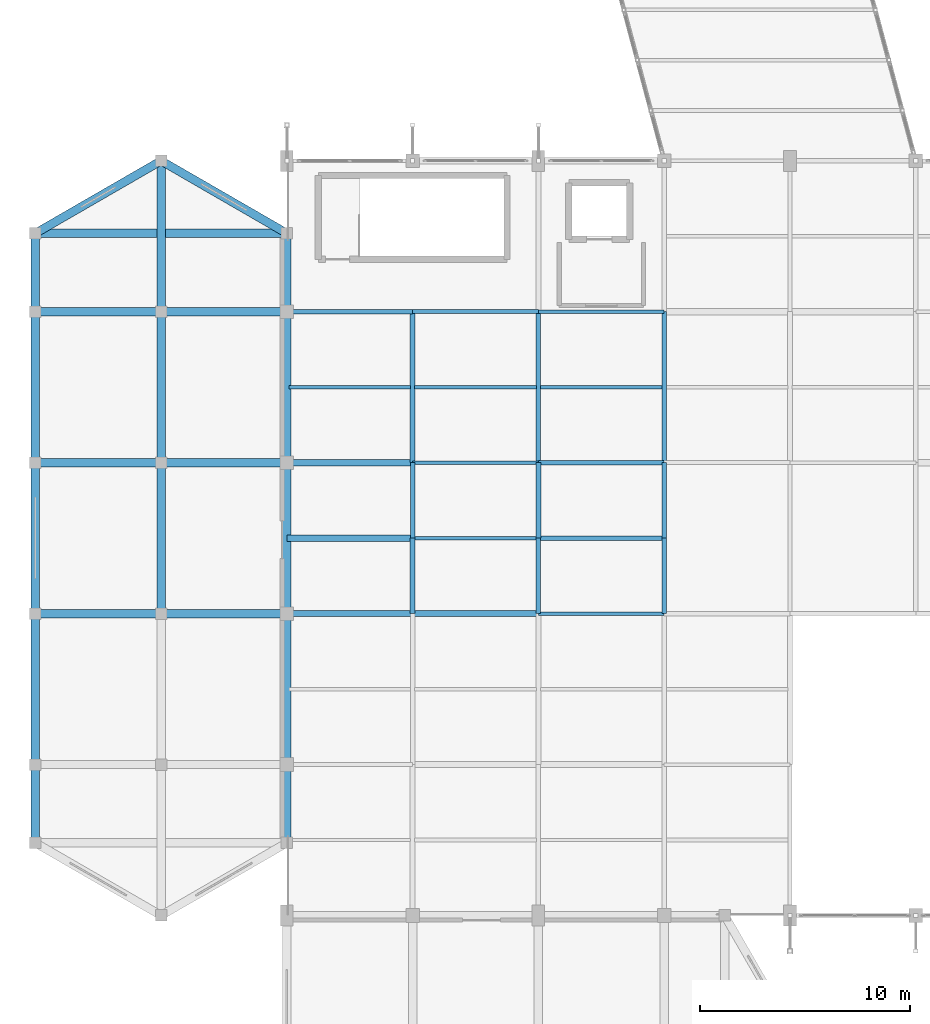
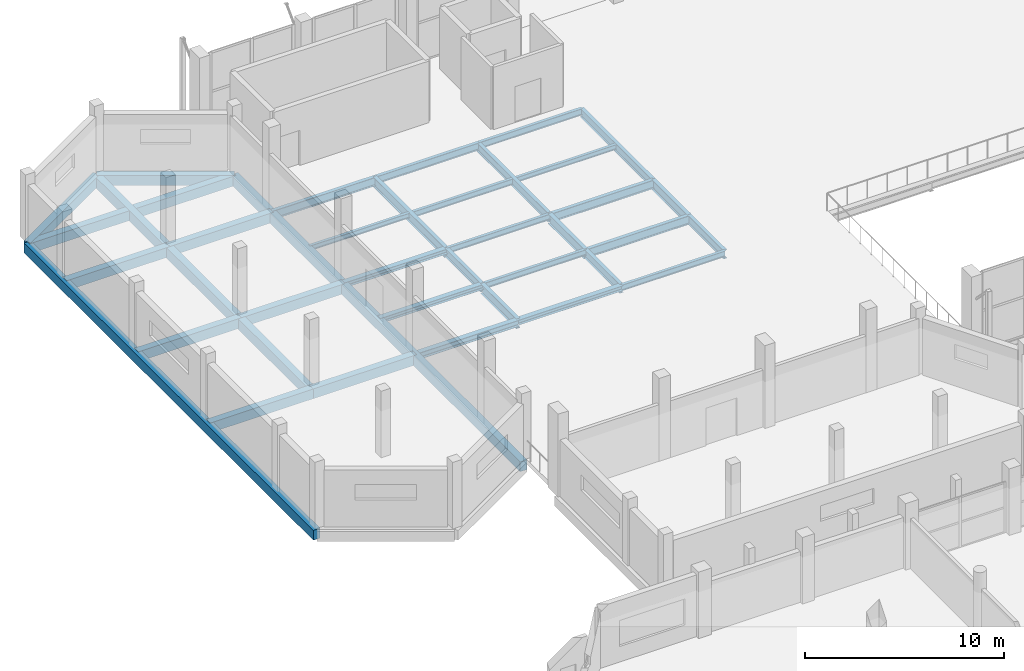
# One storey, part 37 of 127: 38 beams.
"""IFC4 building model written with IfcOpenShell, lengths in metres."""

from ifc_helpers import new_model, si_unit, direction, frame, origin, origin_2d, place, context, subcontext, project, spatial, rectangle, i_section, extrude, material, material_profile, profile_set, type_object, element, save


model = new_model("IFC4")

# Units and contexts
model_context = context("Model", 3, precision=1e-05, world=origin(), true_north=direction((0.0, 1.0)))
body_context = subcontext(model_context, "Body", "Model", "MODEL_VIEW")
ifc_project = project(units=[si_unit("LENGTHUNIT", "METRE"), si_unit("AREAUNIT", "SQUARE_METRE"), si_unit("VOLUMEUNIT", "CUBIC_METRE"), si_unit("PLANEANGLEUNIT", "RADIAN"), si_unit("MASSUNIT", "GRAM", prefix="KILO")], contexts=[model_context])

# Site, building, storey
site_placement = place(None, origin())
site = spatial("IfcSite", under=ifc_project, at=site_placement, CompositionType="ELEMENT")
building_placement = place(site_placement, origin())
building = spatial("IfcBuilding", under=site, at=building_placement, Name="Dunvalen Ferry Terminal", CompositionType="ELEMENT")
storey_placement = place(building_placement, frame((0.0, 0.0, 5.760009765625)))
storey = spatial("IfcBuildingStorey", under=building, at=storey_placement, Name="L01", CompositionType="ELEMENT", Elevation=5.760009765625)

# Beams
ifc_material_1 = material(Name="Steel S355", Category="steel")
ifc_material_profile_1 = material_profile(ifc_material_1, i_section(OverallWidth=0.300048828125, OverallDepth=0.31005859375, WebThickness=0.009033203125, FlangeThickness=0.015380859375, FilletRadius=0.027099609375, at=origin_2d()), Name="Steel S355")
ifc_profile_set_1 = profile_set([ifc_material_profile_1], Name="Steel S355")
beam_type_1 = type_object("IfcBeamType", Name="STR-BM-HEA320", PredefinedType="SPANDREL", material=ifc_profile_set_1)
for number, where, z_axis, x_axis, name in (
    (1, (18.0, 64.800048828125, -0.43505859375), (1.0, 0.0, 0.0), (0.0, 1.0, 0.0), "L01 V1M Primary Beam X-016"),
    (2, (12.0, 68.39990234375, -0.43505859375), (1.0, 0.0, 0.0), (0.0, 1.0, 0.0), "L01 V1M Primary Beam X-028"),
    (3, (12.0, 72.0, -0.43505859375), (1.0, 0.0, 0.0), (0.0, 1.0, 0.0), "L01 V1M Primary Beam X-034"),
):
    element("IfcBeam", number, at=place(storey_placement, frame(where, z_axis=z_axis, x_axis=x_axis)), inside=storey, type_object=beam_type_1, Name=name, PredefinedType="SPANDREL", context=body_context, shape_type="SweptSolid", body=[
        extrude(i_section(OverallWidth=0.300048828125, OverallDepth=0.31005859375, WebThickness=0.009033203125, FlangeThickness=0.015380859375, FilletRadius=0.027099609375, at=origin_2d()), origin(), (0.0, 0.0, 1.0), 6.0),
    ])
ifc_material_profile_2 = material_profile(ifc_material_1, i_section(OverallWidth=0.300048828125, OverallDepth=0.389892578125, WebThickness=0.010986328125, FlangeThickness=0.01904296875, FilletRadius=0.027099609375, at=origin_2d()), Name="Steel S355")
ifc_profile_set_2 = profile_set([ifc_material_profile_2], Name="Steel S355")
beam_type_2 = type_object("IfcBeamType", Name="STR-BM-HEA400", PredefinedType="BEAM", material=ifc_profile_set_2)
beam_1_placement = place(storey_placement, frame((12.0, 64.800048828125, -0.47509765625), z_axis=(1.0, 0.0, 0.0), x_axis=(0.0, 1.0, 0.0)))
element("IfcBeam", 4, at=beam_1_placement, inside=storey, type_object=beam_type_2, Name="L01 V1M Primary Beam X-015", PredefinedType="BEAM", context=body_context, shape_type="SweptSolid", body=[
    extrude(i_section(OverallWidth=0.300048828125, OverallDepth=0.389892578125, WebThickness=0.010986328125, FlangeThickness=0.01904296875, FilletRadius=0.027099609375, at=origin_2d()), origin(), (0.0, 0.0, 1.0), 6.0),
])
ifc_material_profile_3 = material_profile(ifc_material_1, i_section(OverallWidth=0.169921875, OverallDepth=0.360107421875, WebThickness=0.008056640625, FlangeThickness=0.0126953125, FilletRadius=0.01806640625, at=origin_2d()), Name="Steel S355")
ifc_profile_set_3 = profile_set([ifc_material_profile_3], Name="Steel S355")
beam_type_3 = type_object("IfcBeamType", Name="STR-BM-IPE360", PredefinedType="BEAM", material=ifc_profile_set_3)
for number, where, z_axis, x_axis, name in (
    (5, (24.0, 64.800048828125, -0.4599609375), (1.0, 0.0, 0.0), (0.0, 1.0, 0.0), "L01 V1M Primary Beam X-017"),
    (6, (18.0, 68.39990234375, -0.4599609375), (1.0, 0.0, 0.0), (0.0, 1.0, 0.0), "L01 V1M Primary Beam X-029"),
    (7, (18.0, 72.0, -0.4599609375), (1.0, 0.0, 0.0), (0.0, 1.0, 0.0), "L01 V1M Primary Beam X-035"),
):
    element("IfcBeam", number, at=place(storey_placement, frame(where, z_axis=z_axis, x_axis=x_axis)), inside=storey, type_object=beam_type_3, Name=name, PredefinedType="BEAM", context=body_context, shape_type="SweptSolid", body=[
        extrude(i_section(OverallWidth=0.169921875, OverallDepth=0.360107421875, WebThickness=0.008056640625, FlangeThickness=0.0126953125, FilletRadius=0.01806640625, at=origin_2d()), origin(), (0.0, 0.0, 1.0), 6.0),
    ])
ifc_material_2 = material(Name="Concrete C35/45", Category="concrete")
ifc_material_profile_4 = material_profile(ifc_material_2, rectangle(XDim=0.39990234375, YDim=0.60009765625, at=origin_2d()), Name="Concrete C35/45")
ifc_profile_set_4 = profile_set([ifc_material_profile_4], Name="Concrete C35/45")
beam_type_4 = type_object("IfcBeamType", Name="STR-BM-RCB600", PredefinedType="BEAM", material=ifc_profile_set_4)
beam_2_placement = place(storey_placement, frame((12.0, 53.864013671875, -0.580078125), z_axis=(0.0, 1.0, 0.0), x_axis=(-1.0, 0.0, 0.0)))
element("IfcBeam", 8, at=beam_2_placement, inside=storey, type_object=beam_type_4, Name="L01 West Baggage Annex Ring Beam 02", PredefinedType="BEAM", context=body_context, shape_type="SweptSolid", body=[
    extrude(rectangle(XDim=0.39990234375, YDim=0.60009765625, at=origin_2d()), origin(), (0.0, 0.0, 1.0), 29.072021484375),
])
for number, where, z_axis, x_axis, name in (
    (9, (12.0, 82.93603515625, -0.580078125), (-0.866040055388, 0.49997462182, 0.0), (-0.49997462182, -0.866040055388, 0.0), "L01 West Baggage Annex Ring Beam 03"),
    (10, (6.0, 86.39990234375, -0.580078125), (-0.866040055388, -0.49997462182, 0.0), (0.49997462182, -0.866040055388, 0.0), "L01 West Baggage Annex Ring Beam 04"),
):
    element("IfcBeam", number, at=place(storey_placement, frame(where, z_axis=z_axis, x_axis=x_axis)), inside=storey, type_object=beam_type_4, Name=name, PredefinedType="BEAM", context=body_context, shape_type="SweptSolid", body=[
        extrude(rectangle(XDim=0.39990234375, YDim=0.60009765625, at=origin_2d()), origin(), (0.0, 0.0, 1.0), 6.927978515625),
    ])
beam_3_placement = place(storey_placement, frame((0.0, 82.93603515625, -0.580078125), z_axis=(0.0, -1.0, 0.0), x_axis=(1.0, 0.0, 0.0)))
element("IfcBeam", 11, at=beam_3_placement, inside=storey, type_object=beam_type_4, Name="L01 West Baggage Annex Ring Beam 05", PredefinedType="BEAM", context=body_context, shape_type="SweptSolid", body=[
    extrude(rectangle(XDim=0.39990234375, YDim=0.60009765625, at=origin_2d()), origin(), (0.0, 0.0, 1.0), 29.072021484375),
])
for number, where, z_axis, x_axis, name in (
    (12, (0.0, 64.800048828125, -0.580078125), (1.0, 0.0, 0.0), (0.0, 1.0, 0.0), "L01 V1AW Primary Beam X-004"),
    (13, (6.0, 64.800048828125, -0.580078125), (1.0, 0.0, 0.0), (0.0, 1.0, 0.0), "L01 V1AW Primary Beam X-005"),
    (14, (0.0, 72.0, -0.580078125), (1.0, 0.0, 0.0), (0.0, 1.0, 0.0), "L01 V1AW Primary Beam X-006"),
    (15, (6.0, 72.0, -0.580078125), (1.0, 0.0, 0.0), (0.0, 1.0, 0.0), "L01 V1AW Primary Beam X-007"),
    (16, (0.0, 79.199951171875, -0.580078125), (1.0, 0.0, 0.0), (0.0, 1.0, 0.0), "L01 V1AW Primary Beam X-008"),
    (17, (6.0, 79.199951171875, -0.580078125), (1.0, 0.0, 0.0), (0.0, 1.0, 0.0), "L01 V1AW Primary Beam X-009"),
):
    element("IfcBeam", number, at=place(storey_placement, frame(where, z_axis=z_axis, x_axis=x_axis)), inside=storey, type_object=beam_type_4, Name=name, PredefinedType="BEAM", context=body_context, shape_type="SweptSolid", body=[
        extrude(rectangle(XDim=0.39990234375, YDim=0.60009765625, at=origin_2d()), origin(), (0.0, 0.0, 1.0), 6.0),
    ])
beam_4_placement = place(storey_placement, frame((0.0, 82.93603515625, -0.580078125), z_axis=(1.0, 0.0, 0.0), x_axis=(0.0, 1.0, 0.0)))
element("IfcBeam", 18, at=beam_4_placement, inside=storey, type_object=beam_type_4, Name="L01 V1AW Primary Beam X-010", PredefinedType="BEAM", context=body_context, shape_type="SweptSolid", body=[
    extrude(rectangle(XDim=0.39990234375, YDim=0.60009765625, at=origin_2d()), origin(), (0.0, 0.0, 1.0), 12.0),
])
ifc_material_3 = material(Name="Concrete C40/50", Category="concrete")
ifc_material_profile_5 = material_profile(ifc_material_3, rectangle(XDim=0.39990234375, YDim=0.64990234375, at=origin_2d()), Name="Concrete C40/50")
ifc_profile_set_5 = profile_set([ifc_material_profile_5], Name="Concrete C40/50")
beam_type_5 = type_object("IfcBeamType", Name="STR-BM-RCB650", PredefinedType="BEAM", material=ifc_profile_set_5)
for number, where, z_axis, x_axis, name in (
    (19, (6.0, 64.800048828125, -0.60498046875), (0.0, 1.0, 0.0), (-1.0, 0.0, 0.0), "L01 V1AW Primary Girder Y-018"),
    (20, (6.0, 72.0, -0.60498046875), (0.0, 1.0, 0.0), (-1.0, 0.0, 0.0), "L01 V1AW Primary Girder Y-019"),
    (21, (6.0, 79.199951171875, -0.60498046875), (0.0, 1.0, 0.0), (-1.0, 0.0, 0.0), "L01 V1AW Primary Girder Y-020"),
):
    element("IfcBeam", number, at=place(storey_placement, frame(where, z_axis=z_axis, x_axis=x_axis)), inside=storey, type_object=beam_type_5, Name=name, PredefinedType="BEAM", context=body_context, shape_type="SweptSolid", body=[
        extrude(rectangle(XDim=0.39990234375, YDim=0.64990234375, at=origin_2d()), origin(), (0.0, 0.0, 1.0), 7.199951171875),
    ])
ifc_material_profile_6 = material_profile(ifc_material_1, i_section(OverallWidth=0.1650390625, OverallDepth=0.303466796875, WebThickness=0.006103515625, FlangeThickness=0.01025390625, FilletRadius=0.0087890625, at=origin_2d()), Name="Steel S355")
ifc_profile_set_6 = profile_set([ifc_material_profile_6], Name="Steel S355")
beam_type_6 = type_object("IfcBeamType", Name="STR-BM-UKB305", PredefinedType="JOIST", material=ifc_profile_set_6)
for number, where, z_axis, x_axis, name in (
    (22, (12.10009765625, 75.60009765625, -0.431640625), (1.0, 0.0, 0.0), (0.0, 1.0, 0.0), "L01 V1M Secondary Joist 003"),
    (23, (24.10009765625, 75.60009765625, -0.431640625), (1.0, 0.0, 0.0), (0.0, 1.0, 0.0), "L01 V1M Secondary Joist 009"),
):
    element("IfcBeam", number, at=place(storey_placement, frame(where, z_axis=z_axis, x_axis=x_axis)), inside=storey, type_object=beam_type_6, Name=name, PredefinedType="JOIST", context=body_context, shape_type="SweptSolid", body=[
        extrude(i_section(OverallWidth=0.1650390625, OverallDepth=0.303466796875, WebThickness=0.006103515625, FlangeThickness=0.01025390625, FilletRadius=0.0087890625, at=origin_2d()), origin(), (0.0, 0.0, 1.0), 5.7998046875),
    ])
ifc_material_profile_7 = material_profile(ifc_material_1, i_section(OverallWidth=0.17138671875, OverallDepth=0.35498046875, WebThickness=0.00732421875, FlangeThickness=0.011474609375, FilletRadius=0.01025390625, at=origin_2d()), Name="Steel S355")
ifc_profile_set_7 = profile_set([ifc_material_profile_7], Name="Steel S355")
beam_type_7 = type_object("IfcBeamType", Name="STR-BM-UKB356", PredefinedType="JOIST", material=ifc_profile_set_7)
beam_5_placement = place(storey_placement, frame((18.10009765625, 75.60009765625, -0.45751953125), z_axis=(1.0, 0.0, 0.0), x_axis=(0.0, 1.0, 0.0)))
element("IfcBeam", 24, at=beam_5_placement, inside=storey, type_object=beam_type_7, Name="L01 V1M Secondary Joist 006", PredefinedType="JOIST", context=body_context, shape_type="SweptSolid", body=[
    extrude(i_section(OverallWidth=0.17138671875, OverallDepth=0.35498046875, WebThickness=0.00732421875, FlangeThickness=0.011474609375, FilletRadius=0.01025390625, at=origin_2d()), origin(), (0.0, 0.0, 1.0), 5.7998046875),
])
ifc_material_profile_8 = material_profile(ifc_material_1, i_section(OverallWidth=0.177978515625, OverallDepth=0.406494140625, WebThickness=0.0078125, FlangeThickness=0.0126953125, FilletRadius=0.01025390625, at=origin_2d()), Name="Steel S355")
ifc_profile_set_8 = profile_set([ifc_material_profile_8], Name="Steel S355")
beam_type_8 = type_object("IfcBeamType", Name="STR-BM-UKB406", PredefinedType="JOIST", material=ifc_profile_set_8)
beam_6_placement = place(storey_placement, frame((24.0, 79.199951171875, -0.483154296875), z_axis=(1.0, 0.0, 0.0), x_axis=(0.0, 1.0, 0.0)))
element("IfcBeam", 25, at=beam_6_placement, inside=storey, type_object=beam_type_8, Name="L01 V1M Primary Beam X-050", PredefinedType="JOIST", context=body_context, shape_type="SweptSolid", body=[
    extrude(i_section(OverallWidth=0.177978515625, OverallDepth=0.406494140625, WebThickness=0.0078125, FlangeThickness=0.0126953125, FilletRadius=0.01025390625, at=origin_2d()), origin(), (0.0, 0.0, 1.0), 6.0),
])
ifc_material_profile_9 = material_profile(ifc_material_1, i_section(OverallWidth=0.1904296875, OverallDepth=0.45703125, WebThickness=0.009033203125, FlangeThickness=0.014404296875, FilletRadius=0.01025390625, at=origin_2d()), Name="Steel S355")
ifc_profile_set_9 = profile_set([ifc_material_profile_9], Name="Steel S355")
beam_type_9 = type_object("IfcBeamType", Name="STR-BM-UKB457", PredefinedType="BEAM", material=ifc_profile_set_9)
beam_7_placement = place(storey_placement, frame((18.0, 79.199951171875, -0.508544921875), z_axis=(1.0, 0.0, 0.0), x_axis=(0.0, 1.0, 0.0)))
element("IfcBeam", 26, at=beam_7_placement, inside=storey, type_object=beam_type_9, Name="L01 V1M Primary Beam X-049", PredefinedType="BEAM", context=body_context, shape_type="SweptSolid", body=[
    extrude(i_section(OverallWidth=0.1904296875, OverallDepth=0.45703125, WebThickness=0.009033203125, FlangeThickness=0.014404296875, FilletRadius=0.01025390625, at=origin_2d()), origin(), (0.0, 0.0, 1.0), 6.0),
])
ifc_material_profile_10 = material_profile(ifc_material_1, i_section(OverallWidth=0.209228515625, OverallDepth=0.533203125, WebThickness=0.010009765625, FlangeThickness=0.015625, FilletRadius=0.0126953125, at=origin_2d()), Name="Steel S355")
ifc_profile_set_10 = profile_set([ifc_material_profile_10], Name="Steel S355")
beam_type_10 = type_object("IfcBeamType", Name="STR-BM-UKB533", PredefinedType="BEAM", material=ifc_profile_set_10)
for number, where, z_axis, x_axis, name in (
    (27, (24.0, 68.39990234375, -0.546630859375), (1.0, 0.0, 0.0), (0.0, 1.0, 0.0), "L01 V1M Primary Beam X-030"),
    (28, (24.0, 72.0, -0.546630859375), (1.0, 0.0, 0.0), (0.0, 1.0, 0.0), "L01 V1M Primary Beam X-036"),
    (29, (12.0, 79.199951171875, -0.546630859375), (1.0, 0.0, 0.0), (0.0, 1.0, 0.0), "L01 V1M Primary Beam X-048"),
):
    element("IfcBeam", number, at=place(storey_placement, frame(where, z_axis=z_axis, x_axis=x_axis)), inside=storey, type_object=beam_type_10, Name=name, PredefinedType="BEAM", context=body_context, shape_type="SweptSolid", body=[
        extrude(i_section(OverallWidth=0.209228515625, OverallDepth=0.533203125, WebThickness=0.010009765625, FlangeThickness=0.015625, FilletRadius=0.0126953125, at=origin_2d()), origin(), (0.0, 0.0, 1.0), 6.0),
    ])
beam_8_placement = place(storey_placement, frame((18.0, 68.39990234375, -0.546630859375), z_axis=(0.0, 1.0, 0.0), x_axis=(-1.0, 0.0, 0.0)))
element("IfcBeam", 30, at=beam_8_placement, inside=storey, type_object=beam_type_10, Name="L01 V1M Primary Girder Y-085", PredefinedType="BEAM", context=body_context, shape_type="SweptSolid", body=[
    extrude(i_section(OverallWidth=0.209228515625, OverallDepth=0.533203125, WebThickness=0.010009765625, FlangeThickness=0.015625, FilletRadius=0.0126953125, at=origin_2d()), origin(), (0.0, 0.0, 1.0), 3.60009765625),
])
beam_9_placement = place(storey_placement, frame((24.0, 64.800048828125, -0.546630859375), z_axis=(0.0, 1.0, 0.0), x_axis=(-1.0, 0.0, 0.0)))
element("IfcBeam", 31, at=beam_9_placement, inside=storey, type_object=beam_type_10, Name="L01 V1M Primary Girder Y-089", PredefinedType="BEAM", context=body_context, shape_type="SweptSolid", body=[
    extrude(i_section(OverallWidth=0.209228515625, OverallDepth=0.533203125, WebThickness=0.010009765625, FlangeThickness=0.015625, FilletRadius=0.0126953125, at=origin_2d()), origin(), (0.0, 0.0, 1.0), 3.599853515625),
])
beam_10_placement = place(storey_placement, frame((24.0, 72.0, -0.546630859375), z_axis=(0.0, 1.0, 0.0), x_axis=(-1.0, 0.0, 0.0)))
element("IfcBeam", 32, at=beam_10_placement, inside=storey, type_object=beam_type_10, Name="L01 V1M Primary Girder Y-091", PredefinedType="BEAM", context=body_context, shape_type="SweptSolid", body=[
    extrude(i_section(OverallWidth=0.209228515625, OverallDepth=0.533203125, WebThickness=0.010009765625, FlangeThickness=0.015625, FilletRadius=0.0126953125, at=origin_2d()), origin(), (0.0, 0.0, 1.0), 7.199951171875),
])
beam_11_placement = place(storey_placement, frame((30.0, 64.800048828125, -0.546630859375), z_axis=(0.0, 1.0, 0.0), x_axis=(-1.0, 0.0, 0.0)))
element("IfcBeam", 33, at=beam_11_placement, inside=storey, type_object=beam_type_10, Name="L01 V1M Primary Girder Y-095", PredefinedType="BEAM", context=body_context, shape_type="SweptSolid", body=[
    extrude(i_section(OverallWidth=0.209228515625, OverallDepth=0.533203125, WebThickness=0.010009765625, FlangeThickness=0.015625, FilletRadius=0.0126953125, at=origin_2d()), origin(), (0.0, 0.0, 1.0), 3.599853515625),
])
beam_12_placement = place(storey_placement, frame((30.0, 72.0, -0.546630859375), z_axis=(0.0, 1.0, 0.0), x_axis=(-1.0, 0.0, 0.0)))
element("IfcBeam", 34, at=beam_12_placement, inside=storey, type_object=beam_type_10, Name="L01 V1M Primary Girder Y-097", PredefinedType="BEAM", context=body_context, shape_type="SweptSolid", body=[
    extrude(i_section(OverallWidth=0.209228515625, OverallDepth=0.533203125, WebThickness=0.010009765625, FlangeThickness=0.015625, FilletRadius=0.0126953125, at=origin_2d()), origin(), (0.0, 0.0, 1.0), 7.199951171875),
])
ifc_material_profile_11 = material_profile(ifc_material_1, i_section(OverallWidth=0.228271484375, OverallDepth=0.607666015625, WebThickness=0.010986328125, FlangeThickness=0.017333984375, FilletRadius=0.0126953125, at=origin_2d()), Name="Steel S355")
ifc_profile_set_11 = profile_set([ifc_material_profile_11], Name="Steel S355")
beam_type_11 = type_object("IfcBeamType", Name="STR-BM-UKB610", PredefinedType="BEAM", material=ifc_profile_set_11)
beam_13_placement = place(storey_placement, frame((18.0, 64.800048828125, -0.583740234375), z_axis=(0.0, 1.0, 0.0), x_axis=(-1.0, 0.0, 0.0)))
element("IfcBeam", 35, at=beam_13_placement, inside=storey, type_object=beam_type_11, Name="L01 V1M Primary Girder Y-084", PredefinedType="BEAM", context=body_context, shape_type="SweptSolid", body=[
    extrude(i_section(OverallWidth=0.228271484375, OverallDepth=0.607666015625, WebThickness=0.010986328125, FlangeThickness=0.017333984375, FilletRadius=0.0126953125, at=origin_2d()), origin(), (0.0, 0.0, 1.0), 3.599853515625),
])
beam_14_placement = place(storey_placement, frame((18.0, 72.0, -0.583740234375), z_axis=(0.0, 1.0, 0.0), x_axis=(-1.0, 0.0, 0.0)))
element("IfcBeam", 36, at=beam_14_placement, inside=storey, type_object=beam_type_11, Name="L01 V1M Primary Girder Y-086", PredefinedType="BEAM", context=body_context, shape_type="SweptSolid", body=[
    extrude(i_section(OverallWidth=0.228271484375, OverallDepth=0.607666015625, WebThickness=0.010986328125, FlangeThickness=0.017333984375, FilletRadius=0.0126953125, at=origin_2d()), origin(), (0.0, 0.0, 1.0), 7.199951171875),
])
for number, where, z_axis, x_axis, name in (
    (37, (24.0, 68.39990234375, -0.583740234375), (0.0, 1.0, 0.0), (-1.0, 0.0, 0.0), "L01 V1M Primary Girder Y-090"),
    (38, (30.0, 68.39990234375, -0.583740234375), (0.0, 1.0, 0.0), (-1.0, 0.0, 0.0), "L01 V1M Primary Girder Y-096"),
):
    element("IfcBeam", number, at=place(storey_placement, frame(where, z_axis=z_axis, x_axis=x_axis)), inside=storey, type_object=beam_type_11, Name=name, PredefinedType="BEAM", context=body_context, shape_type="SweptSolid", body=[
        extrude(i_section(OverallWidth=0.228271484375, OverallDepth=0.607666015625, WebThickness=0.010986328125, FlangeThickness=0.017333984375, FilletRadius=0.0126953125, at=origin_2d()), origin(), (0.0, 0.0, 1.0), 3.60009765625),
    ])

save(model, "model.ifc")
